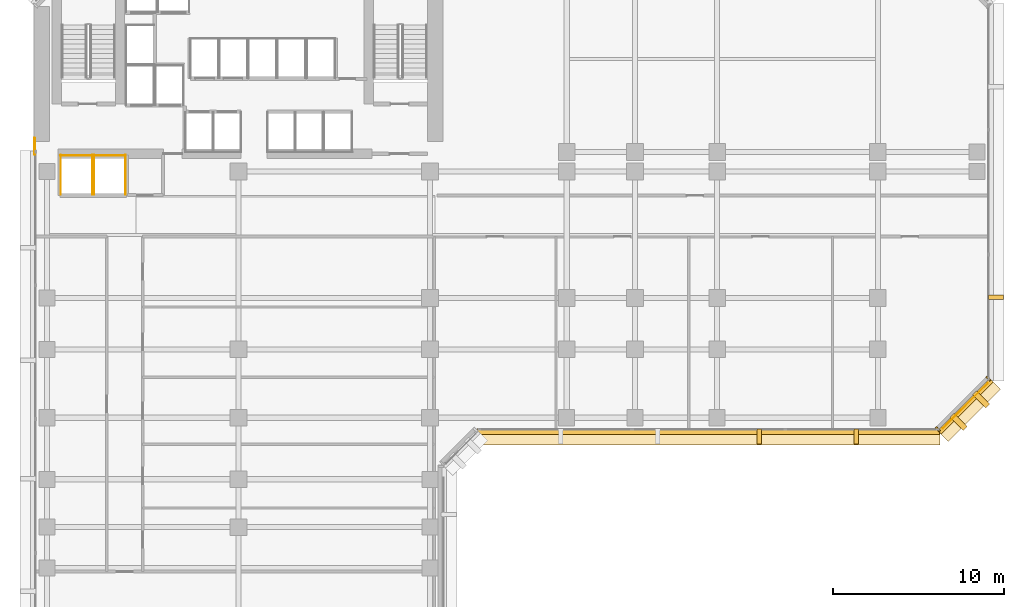
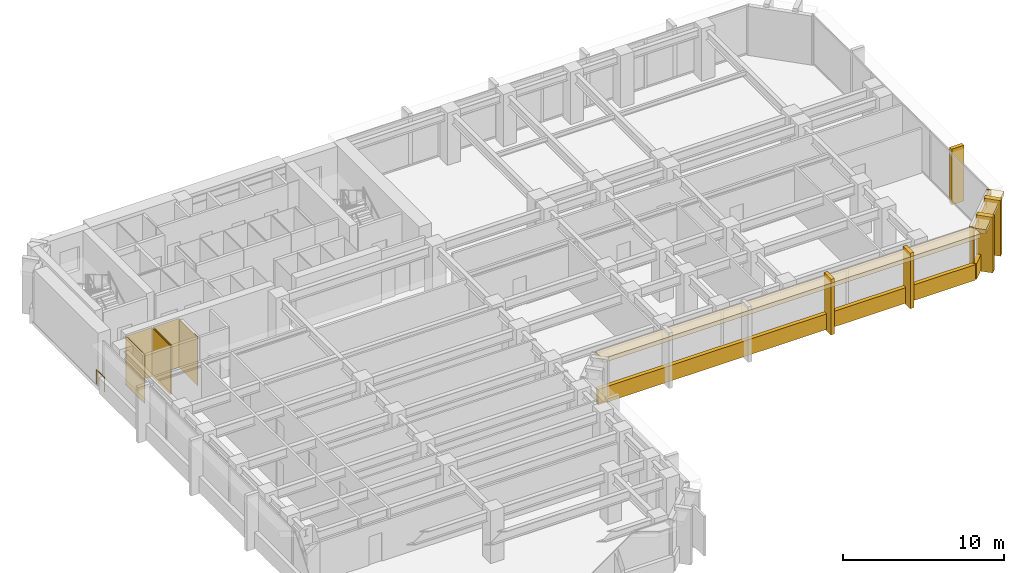
# One storey, part 10 of 13: 18 coverings, 1 railing.
"""IFC4 building model written with IfcOpenShell, lengths in metres."""

from ifc_helpers import new_model, si_unit, direction, frame, origin, origin_2d, place, context, subcontext, project, spatial, polyline, rectangle, circle, outline, extrude, material, layer, layer_set, type_object, element, save


model = new_model("IFC4")

# Units and contexts
model_context = context("Model", 3, precision=1e-05, world=origin(), true_north=direction((0.0, 1.0)))
body_context = subcontext(model_context, "Body", "Model", "MODEL_VIEW")
ifc_project = project(units=[si_unit("LENGTHUNIT", "METRE"), si_unit("AREAUNIT", "SQUARE_METRE"), si_unit("VOLUMEUNIT", "CUBIC_METRE"), si_unit("PLANEANGLEUNIT", "RADIAN"), si_unit("MASSUNIT", "GRAM", prefix="KILO")], contexts=[model_context])

# Site, building, storey
site_placement = place(None, origin())
site = spatial("IfcSite", under=ifc_project, at=site_placement, CompositionType="ELEMENT")
building_placement = place(site_placement, origin())
building = spatial("IfcBuilding", under=site, at=building_placement, Name="Kefirva Bronze Tower", CompositionType="ELEMENT")
storey_placement = place(building_placement, frame((0.0, 0.0, 81.840087890625)))
storey = spatial("IfcBuildingStorey", under=building, at=storey_placement, Name="L19", CompositionType="ELEMENT", Elevation=81.840087890625)

# Coverings
ifc_material_1 = material(Name="Bronze anodised aluminium", Category="aluminium")
ifc_layer_1 = layer(ifc_material_1, 0.02001953125, Name="Bronze anodised aluminium")
ifc_layer_set_1 = layer_set([ifc_layer_1], Name="Bronze anodised aluminium")
covering_type_1 = type_object("IfcCoveringType", Name="Anodised Bronze Spandrel Cladding 20mm", PredefinedType="CLADDING", material=ifc_layer_set_1)
covering_1_placement = place(storey_placement, frame((39.5, 17.9599609375, -0.16015625), z_axis=(0.0, 0.0, 1.0), x_axis=(1.0, 0.0, 0.0)))
element("IfcCovering", 1, at=covering_1_placement, inside=storey, type_object=covering_type_1, Name="L19 Streamline Horizontal Spandrel Band 4", PredefinedType="CLADDING", context=body_context, shape_type="SweptSolid", body=[
    extrude(rectangle(XDim=27.0400390625, YDim=0.280029296875, at=origin_2d()), origin(), (0.0, 0.0, 1.0), 1.179931640625),
])
covering_2_placement = place(storey_placement, frame((54.507080078125, 19.492919921875, 3.2900390625), z_axis=(0.0, 0.0, 1.0), x_axis=(0.707106781187, 0.707106781187, 0.0)))
element("IfcCovering", 2, at=covering_2_placement, inside=storey, type_object=covering_type_1, Name="L19 Bronze Spandrel Cladding 4", PredefinedType="CLADDING", context=body_context, shape_type="SweptSolid", body=[
    extrude(rectangle(XDim=3.719482421875, YDim=0.02001953125, at=origin_2d()), origin(), (0.0, 0.0, 1.0), 0.39990234375),
])
for number, where, z_axis, x_axis, name in (
    (3, (52.91162109375, 18.137939453125, 0.0), (0.0, 0.0, 1.0), (0.707106781187, 0.707106781187, 0.0), "L19 Facade Joint Closure Panel 4S"),
    (4, (55.862060546875, 21.08837890625, 0.0), (0.0, 0.0, 1.0), (0.707106781187, 0.707106781187, 0.0), "L19 Facade Joint Closure Panel 4E"),
):
    element("IfcCovering", number, at=place(storey_placement, frame(where, z_axis=z_axis, x_axis=x_axis)), inside=storey, type_object=covering_type_1, Name=name, PredefinedType="CLADDING", context=body_context, shape_type="SweptSolid", body=[
        extrude(rectangle(XDim=0.10009765625, YDim=0.320068359375, at=origin_2d()), origin(), (0.0, 0.0, 1.0), 3.7099609375),
    ])
covering_3_placement = place(storey_placement, frame((54.5283203125, 19.4716796875, -0.16015625), z_axis=(0.0, 0.0, 1.0), x_axis=(0.707106781187, 0.707106781187, 0.0)))
element("IfcCovering", 5, at=covering_3_placement, inside=storey, type_object=covering_type_1, Name="L19 Streamline Horizontal Spandrel Band 5", PredefinedType="CLADDING", context=body_context, shape_type="SweptSolid", body=[
    extrude(rectangle(XDim=4.28271484375, YDim=0.280029296875, at=origin_2d()), origin(), (0.0, 0.0, 1.0), 1.179931640625),
])
covering_4_placement = place(storey_placement, origin())
element("IfcCovering", 6, at=covering_4_placement, inside=storey, type_object=covering_type_1, Name="L19 Lift OB1 Hoistway Liner N", PredefinedType="CLADDING", context=body_context, shape_type="SweptSolid", body=[
    extrude(outline(polyline([(1.580078125, 34.139892578125), (3.469970703125, 34.139892578125), (3.469970703125, 34.159912109375), (1.580078125, 34.159912109375), (1.580078125, 34.139892578125)])), origin(), (0.0, 0.0, 1.0), 3.7099609375),
])
covering_5_placement = place(storey_placement, origin())
element("IfcCovering", 7, at=covering_5_placement, inside=storey, type_object=covering_type_1, Name="L19 Lift OB1 Hoistway Liner W", PredefinedType="CLADDING", context=body_context, shape_type="SweptSolid", body=[
    extrude(outline(polyline([(1.590087890625, 31.830078125), (1.610107421875, 31.830078125), (1.610107421875, 34.169921875), (1.590087890625, 34.169921875), (1.590087890625, 31.830078125)])), origin(), (0.0, 0.0, 1.0), 3.7099609375),
])
covering_6_placement = place(storey_placement, origin())
element("IfcCovering", 8, at=covering_6_placement, inside=storey, type_object=covering_type_1, Name="L19 Lift OB1 Hoistway Liner E", PredefinedType="CLADDING", context=body_context, shape_type="SweptSolid", body=[
    extrude(outline(polyline([(3.43994140625, 31.830078125), (3.4599609375, 31.830078125), (3.4599609375, 34.169921875), (3.43994140625, 34.169921875), (3.43994140625, 31.830078125)])), origin(), (0.0, 0.0, 1.0), 3.7099609375),
])
covering_7_placement = place(storey_placement, origin())
element("IfcCovering", 9, at=covering_7_placement, inside=storey, type_object=covering_type_1, Name="L19 Lift OB2 Hoistway Liner N", PredefinedType="CLADDING", context=body_context, shape_type="SweptSolid", body=[
    extrude(outline(polyline([(3.530029296875, 34.139892578125), (5.419921875, 34.139892578125), (5.419921875, 34.159912109375), (3.530029296875, 34.159912109375), (3.530029296875, 34.139892578125)])), origin(), (0.0, 0.0, 1.0), 3.7099609375),
])
covering_8_placement = place(storey_placement, origin())
element("IfcCovering", 10, at=covering_8_placement, inside=storey, type_object=covering_type_1, Name="L19 Lift OB2 Hoistway Liner W", PredefinedType="CLADDING", context=body_context, shape_type="SweptSolid", body=[
    extrude(outline(polyline([(3.5400390625, 31.830078125), (3.56005859375, 31.830078125), (3.56005859375, 34.169921875), (3.5400390625, 34.169921875), (3.5400390625, 31.830078125)])), origin(), (0.0, 0.0, 1.0), 3.7099609375),
])
covering_9_placement = place(storey_placement, origin())
element("IfcCovering", 11, at=covering_9_placement, inside=storey, type_object=covering_type_1, Name="L19 Lift OB2 Hoistway Liner E", PredefinedType="CLADDING", context=body_context, shape_type="SweptSolid", body=[
    extrude(outline(polyline([(5.389892578125, 31.830078125), (5.409912109375, 31.830078125), (5.409912109375, 34.169921875), (5.389892578125, 34.169921875), (5.389892578125, 31.830078125)])), origin(), (0.0, 0.0, 1.0), 3.7099609375),
])

# Railing
ifc_material_2 = material(Name="Stainless steel 316", Category="steel")
railing_type = type_object("IfcRailingType", Name="Interior Stair Guardrail 1100mm", PredefinedType="GUARDRAIL", material=ifc_material_2)
railing_placement = place(storey_placement, frame((0.080078125, 34.199951171875, 0.0)))
element("IfcRailing", 12, at=railing_placement, inside=storey, type_object=railing_type, Name="L19 West Core Junction Guardrail", PredefinedType="GUARDRAIL", context=body_context, shape_type="SweptSolid", body=[
    extrude(circle(Radius=0.02392578125, at=origin_2d()), frame((0.0, 0.0, 1.076171875), z_axis=(0.0, 1.0, 0.0), x_axis=(-1.0, 0.0, 0.0)), (0.0, 0.0, 1.0), 0.949951171875),
    extrude(circle(Radius=0.02099609375, at=origin_2d()), origin(), (0.0, 0.0, 1.0), 1.052001953125),
    extrude(circle(Radius=0.02099609375, at=origin_2d()), frame((0.0, 0.949951171875, 0.0)), (0.0, 0.0, 1.0), 1.052001953125),
])

# Coverings
ifc_layer_2 = layer(ifc_material_1, 0.179931640625, Name="Bronze anodised aluminium")
ifc_layer_set_2 = layer_set([ifc_layer_2], Name="Bronze anodised aluminium")
covering_type_2 = type_object("IfcCoveringType", Name="Streamline Bronze Sunshade Eyebrow Cladding 180mm", PredefinedType="CLADDING", material=ifc_layer_set_2)
covering_10_placement = place(storey_placement, frame((39.5, 17.68994140625, 3.3896484375), z_axis=(0.0, 0.0, 1.0), x_axis=(1.0, 0.0, 0.0)))
element("IfcCovering", 13, at=covering_10_placement, inside=storey, type_object=covering_type_2, Name="L19 Streamline Bronze Sunshade Eyebrow 4", PredefinedType="CLADDING", context=body_context, shape_type="SweptSolid", body=[
    extrude(rectangle(XDim=27.080078125, YDim=0.93994140625, at=origin_2d()), origin(), (0.0, 0.0, 1.0), 0.320068359375),
])
covering_11_placement = place(storey_placement, frame((54.71923828125, 19.28076171875, 3.3896484375), z_axis=(0.0, 0.0, 1.0), x_axis=(0.707106781187, 0.707106781187, 0.0)))
element("IfcCovering", 14, at=covering_11_placement, inside=storey, type_object=covering_type_2, Name="L19 Streamline Bronze Sunshade Eyebrow 5", PredefinedType="CLADDING", context=body_context, shape_type="SweptSolid", body=[
    extrude(rectangle(XDim=4.322509765625, YDim=0.93994140625, at=origin_2d()), origin(), (0.0, 0.0, 1.0), 0.320068359375),
])
ifc_layer_3 = layer(ifc_material_1, 0.260009765625, Name="Bronze anodised aluminium")
ifc_layer_set_3 = layer_set([ifc_layer_3], Name="Bronze anodised aluminium")
covering_type_3 = type_object("IfcCoveringType", Name="Unbroken Bronze Buttress Fin Cladding 260mm", PredefinedType="CLADDING", material=ifc_layer_set_3)
for number, where, z_axis, x_axis, name in (
    (15, (42.469970703125, 17.699951171875, -0.25), (0.0, 0.0, 1.0), (1.0, 0.0, 0.0), "L19 Unbroken Vertical Bronze Rib Fin 11"),
    (16, (48.139892578125, 17.699951171875, -0.25), (0.0, 0.0, 1.0), (1.0, 0.0, 0.0), "L19 Unbroken Vertical Bronze Rib Fin 12"),
):
    element("IfcCovering", number, at=place(storey_placement, frame(where, z_axis=z_axis, x_axis=x_axis)), inside=storey, type_object=covering_type_3, Name=name, PredefinedType="CLADDING", context=body_context, shape_type="SweptSolid", body=[
        extrude(rectangle(XDim=0.260009765625, YDim=0.8798828125, at=origin_2d()), origin(), (0.0, 0.0, 1.0), 4.2099609375),
    ])
for number, where, z_axis, x_axis, name in (
    (17, (54.122802734375, 18.55712890625, -0.25), (0.0, 0.0, 1.0), (0.707106781187, 0.707106781187, 0.0), "L19 Chamfered Corner Buttress Fin Cladding 13"),
    (18, (55.44287109375, 19.877197265625, -0.25), (0.0, 0.0, 1.0), (0.707106781187, 0.707106781187, 0.0), "L19 Chamfered Corner Buttress Fin Cladding 14"),
):
    element("IfcCovering", number, at=place(storey_placement, frame(where, z_axis=z_axis, x_axis=x_axis)), inside=storey, type_object=covering_type_3, Name=name, PredefinedType="CLADDING", context=body_context, shape_type="SweptSolid", body=[
        extrude(rectangle(XDim=0.340087890625, YDim=1.080078125, at=origin_2d()), origin(), (0.0, 0.0, 1.0), 4.2099609375),
    ])
covering_12_placement = place(storey_placement, frame((56.300048828125, 25.840087890625, -0.25), z_axis=(0.0, 0.0, 1.0), x_axis=(0.0, 1.0, 0.0)))
element("IfcCovering", 19, at=covering_12_placement, inside=storey, type_object=covering_type_3, Name="L19 Unbroken Vertical Bronze Rib Fin 15", PredefinedType="CLADDING", context=body_context, shape_type="SweptSolid", body=[
    extrude(rectangle(XDim=0.260009765625, YDim=0.8798828125, at=origin_2d()), origin(), (0.0, 0.0, 1.0), 4.2099609375),
])

save(model, "model.ifc")
